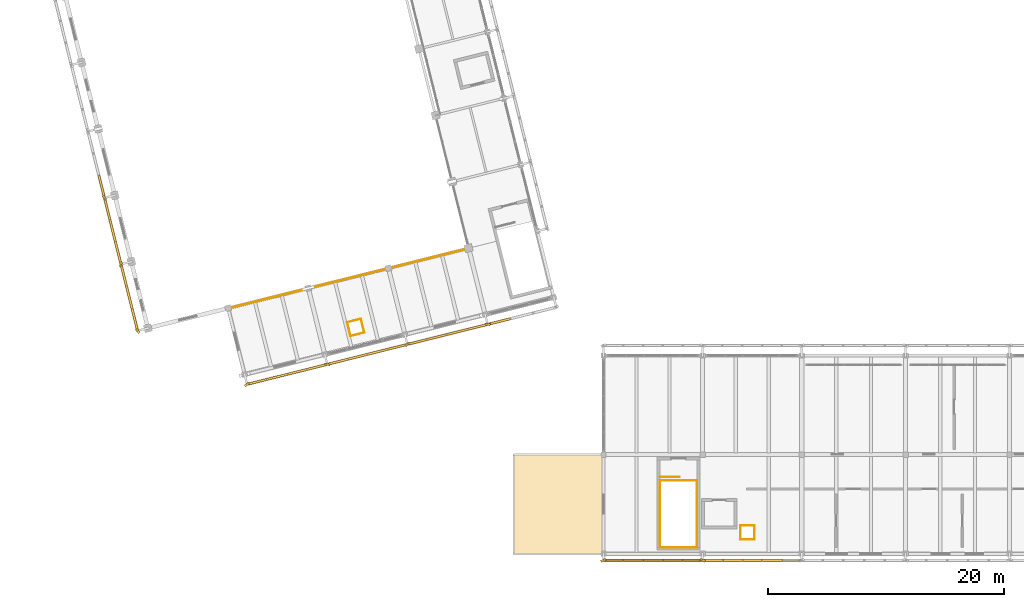
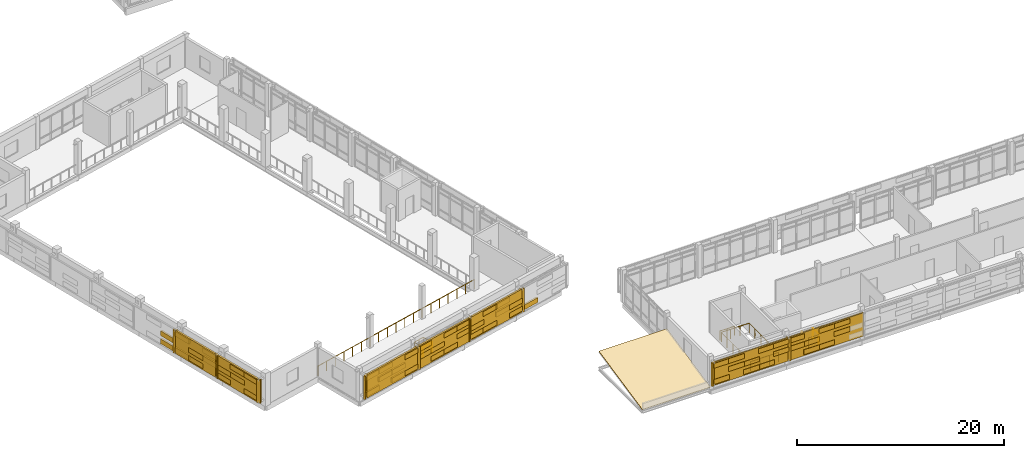
# One storey, part 106 of 117: 67 coverings, 14 railings, 7 shading devices.
"""IFC4 building model written with IfcOpenShell, lengths in metres."""

from ifc_helpers import new_model, si_unit, direction, frame, origin, origin_2d, place, context, subcontext, project, spatial, polyline, rectangle, circle, outline, extrude, material, layer, layer_set, type_object, element, save


model = new_model("IFC4")

# Units and contexts
model_context = context("Model", 3, precision=1e-05, world=origin(), true_north=direction((0.0, 1.0)))
body_context = subcontext(model_context, "Body", "Model", "MODEL_VIEW")
ifc_project = project(units=[si_unit("LENGTHUNIT", "METRE"), si_unit("AREAUNIT", "SQUARE_METRE"), si_unit("VOLUMEUNIT", "CUBIC_METRE"), si_unit("PLANEANGLEUNIT", "RADIAN"), si_unit("MASSUNIT", "GRAM", prefix="KILO")], contexts=[model_context])

# Site, building, storey
site_placement = place(None, origin())
site = spatial("IfcSite", under=ifc_project, at=site_placement, CompositionType="ELEMENT")
building_placement = place(site_placement, origin())
building = spatial("IfcBuilding", under=site, at=building_placement, Name="Cinderway Yard Community Centre", CompositionType="ELEMENT")
storey_placement = place(building_placement, frame((0.0, 0.0, 9.0)))
storey = spatial("IfcBuildingStorey", under=building, at=storey_placement, Name="L02", CompositionType="ELEMENT", Elevation=9.0)

# Coverings
ifc_material_1 = material(Name="Brick Masonry", Category="masonry")
ifc_layer_1 = layer(ifc_material_1, 0.18994140625, Name="Brick Masonry")
ifc_layer_set_1 = layer_set([ifc_layer_1], Name="Brick Masonry")
covering_type_1 = type_object("IfcCoveringType", Name="ENV-COV-BRK-SCREEN", PredefinedType="CLADDING", material=ifc_layer_set_1)
for number, where, z_axis, x_axis, name in (
    (1, (58.39990234375, 5.449951171875, 0.64990234375), (0.0, 0.0, 1.0), (-0.913545457643, -0.406736643076, 0.0), "Deconstructivist folded brick fin 0879"),
    (2, (66.800048828125, 5.449951171875, 0.64990234375), (0.0, 0.0, 1.0), (-0.913545457643, 0.406736643076, 0.0), "Deconstructivist folded brick fin 0880"),
):
    element("IfcCovering", number, at=place(storey_placement, frame(where, z_axis=z_axis, x_axis=x_axis)), inside=storey, type_object=covering_type_1, Name=name, PredefinedType="CLADDING", context=body_context, shape_type="SweptSolid", body=[
        extrude(rectangle(XDim=0.4599609375, YDim=0.199951171875, at=origin_2d()), origin(), (0.0, 0.0, 1.0), 2.75),
    ])
for number, where, z_axis, x_axis, name in (
    (3, (59.239990234375, 5.449951171875, 0.79052734375), (0.0, 0.0, 1.0), (-1.0, 0.0, 0.0), "Open-bond perforated brick screen course 00886"),
    (4, (62.60009765625, 5.449951171875, 0.79052734375), (0.0, 0.0, 1.0), (-1.0, 0.0, 0.0), "Open-bond perforated brick screen course 00887"),
    (5, (64.280029296875, 5.449951171875, 0.79052734375), (0.0, 0.0, 1.0), (-1.0, 0.0, 0.0), "Open-bond perforated brick screen course 00888"),
    (6, (60.919921875, 5.449951171875, 1.736328125), (0.0, 0.0, 1.0), (-1.0, 0.0, 0.0), "Open-bond perforated brick screen course 00889"),
    (7, (62.60009765625, 5.449951171875, 1.736328125), (0.0, 0.0, 1.0), (-1.0, 0.0, 0.0), "Open-bond perforated brick screen course 00890"),
    (8, (65.9599609375, 5.449951171875, 1.736328125), (0.0, 0.0, 1.0), (-1.0, 0.0, 0.0), "Open-bond perforated brick screen course 00891"),
    (9, (59.239990234375, 5.449951171875, 2.6826171875), (0.0, 0.0, 1.0), (-1.0, 0.0, 0.0), "Open-bond perforated brick screen course 00892"),
    (10, (60.919921875, 5.449951171875, 2.6826171875), (0.0, 0.0, 1.0), (-1.0, 0.0, 0.0), "Open-bond perforated brick screen course 00893"),
    (11, (64.280029296875, 5.449951171875, 2.6826171875), (0.0, 0.0, 1.0), (-1.0, 0.0, 0.0), "Open-bond perforated brick screen course 00894"),
    (12, (65.9599609375, 5.449951171875, 2.6826171875), (0.0, 0.0, 1.0), (-1.0, 0.0, 0.0), "Open-bond perforated brick screen course 00895"),
    (13, (69.320068359375, 5.449951171875, 0.79052734375), (0.0, 0.0, 1.0), (-1.0, 0.0, 0.0), "Open-bond perforated brick screen course 00896"),
    (14, (71.0, 5.449951171875, 0.79052734375), (0.0, 0.0, 1.0), (-1.0, 0.0, 0.0), "Open-bond perforated brick screen course 00897"),
    (15, (67.639892578125, 5.449951171875, 1.736328125), (0.0, 0.0, 1.0), (-1.0, 0.0, 0.0), "Open-bond perforated brick screen course 00899"),
    (16, (69.320068359375, 5.449951171875, 1.736328125), (0.0, 0.0, 1.0), (-1.0, 0.0, 0.0), "Open-bond perforated brick screen course 00900"),
    (17, (72.679931640625, 5.449951171875, 1.736328125), (0.0, 0.0, 1.0), (-1.0, 0.0, 0.0), "Open-bond perforated brick screen course 00901"),
    (18, (67.639892578125, 5.449951171875, 2.6826171875), (0.0, 0.0, 1.0), (-1.0, 0.0, 0.0), "Open-bond perforated brick screen course 00903"),
    (19, (71.0, 5.449951171875, 2.6826171875), (0.0, 0.0, 1.0), (-1.0, 0.0, 0.0), "Open-bond perforated brick screen course 00904"),
    (20, (72.679931640625, 5.449951171875, 2.6826171875), (0.0, 0.0, 1.0), (-1.0, 0.0, 0.0), "Open-bond perforated brick screen course 00905"),
):
    element("IfcCovering", number, at=place(storey_placement, frame(where, z_axis=z_axis, x_axis=x_axis)), inside=storey, type_object=covering_type_1, Name=name, PredefinedType="CLADDING", context=body_context, shape_type="SweptSolid", body=[
        extrude(rectangle(XDim=1.760009765625, YDim=0.18994140625, at=origin_2d()), origin(), (0.0, 0.0, 1.0), 0.576904296875),
    ])
for number, where, z_axis, x_axis, name in (
    (21, (18.93603515625, 24.89892578125, 0.64990234375), (0.0, 0.0, 1.0), (-0.615661475326, 0.788010753607, 0.0), "Deconstructivist folded brick fin 1148"),
    (22, (17.532958984375, 30.527099609375, 0.64990234375), (0.0, 0.0, 1.0), (0.173648177667, 0.984807753012, 0.0), "Deconstructivist folded brick fin 1149"),
    (23, (16.1298828125, 36.154052734375, 0.64990234375), (0.0, 0.0, 1.0), (-0.615661475326, 0.788010753607, 0.0), "Deconstructivist folded brick fin 1150"),
):
    element("IfcCovering", number, at=place(storey_placement, frame(where, z_axis=z_axis, x_axis=x_axis)), inside=storey, type_object=covering_type_1, Name=name, PredefinedType="CLADDING", context=body_context, shape_type="SweptSolid", body=[
        extrude(rectangle(XDim=0.4599609375, YDim=0.199951171875, at=origin_2d()), origin(), (0.0, 0.0, 1.0), 2.75),
    ])
for number, where, z_axis, x_axis, name in (
    (24, (18.701904296875, 25.8369140625, 0.79052734375), (0.0, 0.0, 1.0), (-0.2419218956, 0.970295726276, 0.0), "Open-bond perforated brick screen course 01156"),
    (25, (17.76708984375, 29.589111328125, 0.79052734375), (0.0, 0.0, 1.0), (-0.2419218956, 0.970295726276, 0.0), "Open-bond perforated brick screen course 01157"),
    (26, (18.235107421875, 27.712890625, 1.736328125), (0.0, 0.0, 1.0), (-0.2419218956, 0.970295726276, 0.0), "Open-bond perforated brick screen course 01158"),
    (27, (17.76708984375, 29.589111328125, 1.736328125), (0.0, 0.0, 1.0), (-0.2419218956, 0.970295726276, 0.0), "Open-bond perforated brick screen course 01159"),
    (28, (18.701904296875, 25.8369140625, 2.6826171875), (0.0, 0.0, 1.0), (-0.2419218956, 0.970295726276, 0.0), "Open-bond perforated brick screen course 01160"),
    (29, (18.235107421875, 27.712890625, 2.6826171875), (0.0, 0.0, 1.0), (-0.2419218956, 0.970295726276, 0.0), "Open-bond perforated brick screen course 01161"),
    (30, (16.8310546875, 33.341064453125, 0.79052734375), (0.0, 0.0, 1.0), (-0.2419218956, 0.970295726276, 0.0), "Open-bond perforated brick screen course 01162"),
    (31, (16.364013671875, 35.216064453125, 0.79052734375), (0.0, 0.0, 1.0), (-0.2419218956, 0.970295726276, 0.0), "Open-bond perforated brick screen course 01163"),
    (32, (17.299072265625, 31.465087890625, 1.736328125), (0.0, 0.0, 1.0), (-0.2419218956, 0.970295726276, 0.0), "Open-bond perforated brick screen course 01164"),
    (33, (16.8310546875, 33.341064453125, 1.736328125), (0.0, 0.0, 1.0), (-0.2419218956, 0.970295726276, 0.0), "Open-bond perforated brick screen course 01165"),
    (34, (17.299072265625, 31.465087890625, 2.6826171875), (0.0, 0.0, 1.0), (-0.2419218956, 0.970295726276, 0.0), "Open-bond perforated brick screen course 01166"),
    (35, (16.364013671875, 35.216064453125, 2.6826171875), (0.0, 0.0, 1.0), (-0.2419218956, 0.970295726276, 0.0), "Open-bond perforated brick screen course 01167"),
    (36, (15.89599609375, 37.092041015625, 0.79052734375), (0.0, 0.0, 1.0), (-0.2419218956, 0.970295726276, 0.0), "Open-bond perforated brick screen course 01168"),
    (37, (15.89599609375, 37.092041015625, 1.736328125), (0.0, 0.0, 1.0), (-0.2419218956, 0.970295726276, 0.0), "Open-bond perforated brick screen course 01170"),
):
    element("IfcCovering", number, at=place(storey_placement, frame(where, z_axis=z_axis, x_axis=x_axis)), inside=storey, type_object=covering_type_1, Name=name, PredefinedType="CLADDING", context=body_context, shape_type="SweptSolid", body=[
        extrude(rectangle(XDim=2.012939453125, YDim=0.18994140625, at=origin_2d()), origin(), (0.0, 0.0, 1.0), 0.576904296875),
    ])
for number, where, z_axis, x_axis, name in (
    (38, (28.2109375, 20.35791015625, 0.64990234375), (0.0, 0.0, 1.0), (-0.788010753607, -0.615661475326, 0.0), "Deconstructivist folded brick fin 1248"),
    (39, (35.0029296875, 22.051025390625, 0.64990234375), (0.0, 0.0, 1.0), (-0.984807753012, 0.173648177667, 0.0), "Deconstructivist folded brick fin 1249"),
    (40, (41.794921875, 23.743896484375, 0.64990234375), (0.0, 0.0, 1.0), (-0.788010753607, -0.615661475326, 0.0), "Deconstructivist folded brick fin 1250"),
    (41, (48.5869140625, 25.43798828125, 0.64990234375), (0.0, 0.0, 1.0), (-0.984807753012, 0.173648177667, 0.0), "Deconstructivist folded brick fin 1251"),
):
    element("IfcCovering", number, at=place(storey_placement, frame(where, z_axis=z_axis, x_axis=x_axis)), inside=storey, type_object=covering_type_1, Name=name, PredefinedType="CLADDING", context=body_context, shape_type="SweptSolid", body=[
        extrude(rectangle(XDim=0.4599609375, YDim=0.199951171875, at=origin_2d()), origin(), (0.0, 0.0, 1.0), 2.75),
    ])
for number, where, z_axis, x_axis, name in (
    (42, (29.06005859375, 20.570068359375, 0.79052734375), (0.0, 0.0, 1.0), (-0.970295726276, -0.2419218956, 0.0), "Open-bond perforated brick screen course 01253"),
    (43, (32.4560546875, 21.416015625, 0.79052734375), (0.0, 0.0, 1.0), (-0.970295726276, -0.2419218956, 0.0), "Open-bond perforated brick screen course 01254"),
    (44, (34.154052734375, 21.839111328125, 0.79052734375), (0.0, 0.0, 1.0), (-0.970295726276, -0.2419218956, 0.0), "Open-bond perforated brick screen course 01255"),
    (45, (30.758056640625, 20.992919921875, 1.736328125), (0.0, 0.0, 1.0), (-0.970295726276, -0.2419218956, 0.0), "Open-bond perforated brick screen course 01256"),
    (46, (32.4560546875, 21.416015625, 1.736328125), (0.0, 0.0, 1.0), (-0.970295726276, -0.2419218956, 0.0), "Open-bond perforated brick screen course 01257"),
    (47, (29.06005859375, 20.570068359375, 2.6826171875), (0.0, 0.0, 1.0), (-0.970295726276, -0.2419218956, 0.0), "Open-bond perforated brick screen course 01258"),
    (48, (30.758056640625, 20.992919921875, 2.6826171875), (0.0, 0.0, 1.0), (-0.970295726276, -0.2419218956, 0.0), "Open-bond perforated brick screen course 01259"),
    (49, (34.154052734375, 21.839111328125, 2.6826171875), (0.0, 0.0, 1.0), (-0.970295726276, -0.2419218956, 0.0), "Open-bond perforated brick screen course 01260"),
    (50, (37.550048828125, 22.68603515625, 0.79052734375), (0.0, 0.0, 1.0), (-0.970295726276, -0.2419218956, 0.0), "Open-bond perforated brick screen course 01261"),
    (51, (39.248046875, 23.10888671875, 0.79052734375), (0.0, 0.0, 1.0), (-0.970295726276, -0.2419218956, 0.0), "Open-bond perforated brick screen course 01262"),
    (52, (35.85205078125, 22.262939453125, 1.736328125), (0.0, 0.0, 1.0), (-0.970295726276, -0.2419218956, 0.0), "Open-bond perforated brick screen course 01263"),
    (53, (37.550048828125, 22.68603515625, 1.736328125), (0.0, 0.0, 1.0), (-0.970295726276, -0.2419218956, 0.0), "Open-bond perforated brick screen course 01264"),
    (54, (40.946044921875, 23.531982421875, 1.736328125), (0.0, 0.0, 1.0), (-0.970295726276, -0.2419218956, 0.0), "Open-bond perforated brick screen course 01265"),
    (55, (35.85205078125, 22.262939453125, 2.6826171875), (0.0, 0.0, 1.0), (-0.970295726276, -0.2419218956, 0.0), "Open-bond perforated brick screen course 01266"),
    (56, (39.248046875, 23.10888671875, 2.6826171875), (0.0, 0.0, 1.0), (-0.970295726276, -0.2419218956, 0.0), "Open-bond perforated brick screen course 01267"),
    (57, (40.946044921875, 23.531982421875, 2.6826171875), (0.0, 0.0, 1.0), (-0.970295726276, -0.2419218956, 0.0), "Open-bond perforated brick screen course 01268"),
    (58, (42.64404296875, 23.9560546875, 0.79052734375), (0.0, 0.0, 1.0), (-0.970295726276, -0.2419218956, 0.0), "Open-bond perforated brick screen course 01269"),
    (59, (44.342041015625, 24.37890625, 0.79052734375), (0.0, 0.0, 1.0), (-0.970295726276, -0.2419218956, 0.0), "Open-bond perforated brick screen course 01270"),
    (60, (47.738037109375, 25.22607421875, 0.79052734375), (0.0, 0.0, 1.0), (-0.970295726276, -0.2419218956, 0.0), "Open-bond perforated brick screen course 01271"),
    (61, (42.64404296875, 23.9560546875, 1.736328125), (0.0, 0.0, 1.0), (-0.970295726276, -0.2419218956, 0.0), "Open-bond perforated brick screen course 01272"),
    (62, (46.0400390625, 24.802978515625, 1.736328125), (0.0, 0.0, 1.0), (-0.970295726276, -0.2419218956, 0.0), "Open-bond perforated brick screen course 01273"),
    (63, (47.738037109375, 25.22607421875, 1.736328125), (0.0, 0.0, 1.0), (-0.970295726276, -0.2419218956, 0.0), "Open-bond perforated brick screen course 01274"),
    (64, (44.342041015625, 24.37890625, 2.6826171875), (0.0, 0.0, 1.0), (-0.970295726276, -0.2419218956, 0.0), "Open-bond perforated brick screen course 01275"),
    (65, (46.0400390625, 24.802978515625, 2.6826171875), (0.0, 0.0, 1.0), (-0.970295726276, -0.2419218956, 0.0), "Open-bond perforated brick screen course 01276"),
):
    element("IfcCovering", number, at=place(storey_placement, frame(where, z_axis=z_axis, x_axis=x_axis)), inside=storey, type_object=covering_type_1, Name=name, PredefinedType="CLADDING", context=body_context, shape_type="SweptSolid", body=[
        extrude(rectangle(XDim=1.830078125, YDim=0.18994140625, at=origin_2d()), origin(), (0.0, 0.0, 1.0), 0.576904296875),
    ])
covering_1_placement = place(storey_placement, frame((49.556884765625, 25.679931640625, 0.79052734375), z_axis=(0.0, 0.0, 1.0), x_axis=(-0.970295726276, -0.2419218956, 0.0)))
element("IfcCovering", 66, at=covering_1_placement, inside=storey, type_object=covering_type_1, Name="Open-bond perforated brick screen course 01277", PredefinedType="CLADDING", context=body_context, shape_type="SweptSolid", body=[
    extrude(rectangle(XDim=2.080078125, YDim=0.18994140625, at=origin_2d()), origin(), (0.0, 0.0, 1.0), 0.576904296875),
])

# Shading devices
shading_device_type_1 = type_object("IfcShadingDeviceType", Name="ENV-SHD-BRICKSCREEN-A", PredefinedType="USERDEFINED", material=ifc_material_1)
for number, where, z_axis, x_axis, name in (
    (67, (31.60693359375, 21.2041015625, 0.64990234375), (0.0, 0.0, 1.0), (-0.970295726276, -0.2419218956, 0.0), "Sanctuary South Perforated Brick Screen 0947"),
    (68, (38.39892578125, 22.89794921875, 0.64990234375), (0.0, 0.0, 1.0), (-0.970295726276, -0.2419218956, 0.0), "Sanctuary South Perforated Brick Screen 0954"),
    (69, (45.19091796875, 24.591064453125, 0.64990234375), (0.0, 0.0, 1.0), (-0.970295726276, -0.2419218956, 0.0), "Sanctuary South Perforated Brick Screen 0961"),
):
    element("IfcShadingDevice", number, at=place(storey_placement, frame(where, z_axis=z_axis, x_axis=x_axis)), inside=storey, type_object=shading_device_type_1, Name=name, ObjectType="PERFORATED BRICK SCREEN", PredefinedType="USERDEFINED", context=body_context, shape_type="SweptSolid", body=[
        extrude(rectangle(XDim=6.800048828125, YDim=0.18994140625, at=origin_2d()), origin(), (0.0, 0.0, 1.0), 2.75),
    ])
shading_device_type_2 = type_object("IfcShadingDeviceType", Name="ENV-SHD-BRICKSCREEN-B", PredefinedType="USERDEFINED", material=ifc_material_1)
shading_device_1_placement = place(storey_placement, frame((18.235107421875, 27.712890625, 0.64990234375), z_axis=(0.0, 0.0, 1.0), x_axis=(-0.2419218956, 0.970295726276, 0.0)))
element("IfcShadingDevice", 70, at=shading_device_1_placement, inside=storey, type_object=shading_device_type_2, Name="Main Hall West Perforated Brick Screen 0860", ObjectType="PERFORATED BRICK SCREEN", PredefinedType="USERDEFINED", context=body_context, shape_type="SweptSolid", body=[
    extrude(rectangle(XDim=5.60009765625, YDim=0.18994140625, at=origin_2d()), origin(), (0.0, 0.0, 1.0), 2.75),
])
shading_device_2_placement = place(storey_placement, frame((16.8310546875, 33.341064453125, 0.64990234375), z_axis=(0.0, 0.0, 1.0), x_axis=(-0.2419218956, 0.970295726276, 0.0)))
element("IfcShadingDevice", 71, at=shading_device_2_placement, inside=storey, type_object=shading_device_type_2, Name="Main Hall West Perforated Brick Screen 0866", ObjectType="PERFORATED BRICK SCREEN", PredefinedType="USERDEFINED", context=body_context, shape_type="SweptSolid", body=[
    extrude(rectangle(XDim=5.59912109375, YDim=0.18994140625, at=origin_2d()), origin(), (0.0, 0.0, 1.0), 2.75),
])
ifc_material_2 = material(Name="Aluminium 6063-T6", Category="aluminium")
shading_device_type_3 = type_object("IfcShadingDeviceType", Name="ENV-SHD-JALOUSIE", PredefinedType="JALOUSIE", material=ifc_material_2)
for number, where, z_axis, x_axis, name in (
    (72, (62.60009765625, 5.449951171875, 0.64990234375), (0.0, 0.0, 1.0), (-1.0, 0.0, 0.0), "South Rail-Yard Solar Screen 0650"),
    (73, (71.0, 5.449951171875, 0.64990234375), (0.0, 0.0, 1.0), (-1.0, 0.0, 0.0), "South Rail-Yard Solar Screen 0658"),
):
    element("IfcShadingDevice", number, at=place(storey_placement, frame(where, z_axis=z_axis, x_axis=x_axis)), inside=storey, type_object=shading_device_type_3, Name=name, PredefinedType="JALOUSIE", context=body_context, shape_type="SweptSolid", body=[
        extrude(rectangle(XDim=8.199951171875, YDim=0.139892578125, at=origin_2d()), origin(), (0.0, 0.0, 1.0), 2.75),
    ])

# Covering
ifc_material_3 = material(Name="Standing-Seam Aluminium & Waterproofing", Category="aluminium")
ifc_layer_2 = layer(ifc_material_3, 0.06005859375, Name="Standing-Seam Aluminium & Waterproofing")
ifc_layer_set_2 = layer_set([ifc_layer_2], Name="Standing-Seam Aluminium & Waterproofing")
covering_type_2 = type_object("IfcCoveringType", Name="INT-COV-ROOF-MEM", PredefinedType="ROOFING", material=ifc_layer_set_2)
covering_2_placement = place(storey_placement, frame((50.800048828125, 6.0, 0.110107421875), z_axis=(0.0, -0.209509680146, 0.977806572858), x_axis=(1.0, 0.0, 0.0)))
element("IfcCovering", 74, at=covering_2_placement, inside=storey, type_object=covering_type_2, Name="Standing-seam roof membrane 17", PredefinedType="ROOFING", context=body_context, shape_type="SweptSolid", body=[
    extrude(outline(polyline([(0.0, 0.0), (7.599853515625, 0.0), (7.599853515625, 8.59055622749096), (0.0, 8.59055622749096), (0.0, 0.0)])), origin(), (0.0, 0.0, -1.0), 0.06005859375),
])

# Railings
ifc_material_4 = material(Name="Painted Galvanised Steel", Category="steel")
railing_type_1 = type_object("IfcRailingType", Name="INT-RAL-BAL112", PredefinedType="BALUSTRADE", material=ifc_material_4)
railing_1_placement = place(storey_placement, frame((26.60595703125, 26.791015625, 0.0)))
element("IfcRailing", 75, at=railing_1_placement, inside=storey, type_object=railing_type_1, Name="Sanctuary Balcony Guard L02 019", PredefinedType="BALUSTRADE", context=body_context, shape_type="SweptSolid", body=[
    extrude(circle(Radius=0.02392578125, at=origin_2d()), frame((0.0, 0.0, 1.09619140625), z_axis=(0.970300944866, 0.241900964018, 0.0), x_axis=(-0.241900964018, 0.970300944866, 0.0)), (0.0, 0.0, 1.0), 21.000732421875),
    extrude(circle(Radius=0.02099609375, at=origin_2d()), origin(), (0.0, 0.0, 1.0), 1.072021484375),
    extrude(circle(Radius=0.02099609375, at=origin_2d()), frame((1.132080078125, 0.2822265625, 0.0)), (0.0, 0.0, 1.0), 1.072021484375),
    extrude(circle(Radius=0.02099609375, at=origin_2d()), frame((2.26416015625, 0.564453125, 0.0)), (0.0, 0.0, 1.0), 1.072021484375),
    extrude(circle(Radius=0.02099609375, at=origin_2d()), frame((3.396240234375, 0.8466796875, 0.0)), (0.0, 0.0, 1.0), 1.072021484375),
    extrude(circle(Radius=0.02099609375, at=origin_2d()), frame((4.5283203125, 1.12890625, 0.0)), (0.0, 0.0, 1.0), 1.072021484375),
    extrude(circle(Radius=0.02099609375, at=origin_2d()), frame((5.66015625, 1.4111328125, 0.0)), (0.0, 0.0, 1.0), 1.072021484375),
    extrude(circle(Radius=0.02099609375, at=origin_2d()), frame((6.792236328125, 1.693359375, 0.0)), (0.0, 0.0, 1.0), 1.072021484375),
    extrude(circle(Radius=0.02099609375, at=origin_2d()), frame((7.92431640625, 1.9755859375, 0.0)), (0.0, 0.0, 1.0), 1.072021484375),
    extrude(circle(Radius=0.02099609375, at=origin_2d()), frame((9.056396484375, 2.2578125, 0.0)), (0.0, 0.0, 1.0), 1.072021484375),
    extrude(circle(Radius=0.02099609375, at=origin_2d()), frame((10.1884765625, 2.5400390625, 0.0)), (0.0, 0.0, 1.0), 1.072021484375),
    extrude(circle(Radius=0.02099609375, at=origin_2d()), frame((11.320556640625, 2.822265625, 0.0)), (0.0, 0.0, 1.0), 1.072021484375),
    extrude(circle(Radius=0.02099609375, at=origin_2d()), frame((12.45263671875, 3.1044921875, 0.0)), (0.0, 0.0, 1.0), 1.072021484375),
    extrude(circle(Radius=0.02099609375, at=origin_2d()), frame((13.584716796875, 3.38671875, 0.0)), (0.0, 0.0, 1.0), 1.072021484375),
    extrude(circle(Radius=0.02099609375, at=origin_2d()), frame((14.716796875, 3.6689453125, 0.0)), (0.0, 0.0, 1.0), 1.072021484375),
    extrude(circle(Radius=0.02099609375, at=origin_2d()), frame((15.8486328125, 3.951171875, 0.0)), (0.0, 0.0, 1.0), 1.072021484375),
    extrude(circle(Radius=0.02099609375, at=origin_2d()), frame((16.980712890625, 4.2333984375, 0.0)), (0.0, 0.0, 1.0), 1.072021484375),
    extrude(circle(Radius=0.02099609375, at=origin_2d()), frame((18.11279296875, 4.515625, 0.0)), (0.0, 0.0, 1.0), 1.072021484375),
    extrude(circle(Radius=0.02099609375, at=origin_2d()), frame((19.244873046875, 4.7978515625, 0.0)), (0.0, 0.0, 1.0), 1.072021484375),
    extrude(circle(Radius=0.02099609375, at=origin_2d()), frame((20.376953125, 5.080078125, 0.0)), (0.0, 0.0, 1.0), 1.072021484375),
])
railing_type_2 = type_object("IfcRailingType", Name="INT-RAL-GRD112", PredefinedType="GUARDRAIL", material=ifc_material_4)
railing_2_placement = place(storey_placement, frame((63.199951171875, 12.52001953125, 0.0)))
element("IfcRailing", 76, at=railing_2_placement, inside=storey, type_object=railing_type_2, Name="L02 ST-09 top well guard 1", PredefinedType="GUARDRAIL", context=body_context, shape_type="SweptSolid", body=[
    extrude(circle(Radius=0.02392578125, at=origin_2d()), frame((0.0, 0.0, 1.076171875), z_axis=(1.0, 0.0, 0.0), x_axis=(0.0, 1.0, 0.0)), (0.0, 0.0, 1.0), 1.64013671875),
    extrude(circle(Radius=0.02099609375, at=origin_2d()), origin(), (0.0, 0.0, 1.0), 1.052001953125),
    extrude(circle(Radius=0.02099609375, at=origin_2d()), frame((0.820068359375, 0.0, 0.0)), (0.0, 0.0, 1.0), 1.052001953125),
    extrude(circle(Radius=0.02099609375, at=origin_2d()), frame((1.64013671875, 0.0, 0.0)), (0.0, 0.0, 1.0), 1.052001953125),
])
railing_3_placement = place(storey_placement, frame((36.98095703125, 24.450927734375, 0.0)))
element("IfcRailing", 77, at=railing_3_placement, inside=storey, type_object=railing_type_2, Name="Service void perimeter guard L02 115", PredefinedType="GUARDRAIL", context=body_context, shape_type="SweptSolid", body=[
    extrude(circle(Radius=0.02392578125, at=origin_2d()), frame((0.0, 0.0, 1.09619140625), z_axis=(0.970333736057, 0.241769395645, 0.0), x_axis=(-0.241769395645, 0.970333736057, 0.0)), (0.0, 0.0, 1.0), 1.19970703125),
    extrude(circle(Radius=0.02099609375, at=origin_2d()), origin(), (0.0, 0.0, 1.0), 1.072021484375),
    extrude(circle(Radius=0.02099609375, at=origin_2d()), frame((1.1640625, 0.2900390625, 0.0)), (0.0, 0.0, 1.0), 1.072021484375),
])
railing_4_placement = place(storey_placement, frame((38.14501953125, 24.740966796875, 0.0)))
element("IfcRailing", 78, at=railing_4_placement, inside=storey, type_object=railing_type_2, Name="Service void perimeter guard L02 116", PredefinedType="GUARDRAIL", context=body_context, shape_type="SweptSolid", body=[
    extrude(circle(Radius=0.02392578125, at=origin_2d()), frame((0.0, 0.0, 1.09619140625), z_axis=(-0.24157857074, 0.970381262267, 0.0), x_axis=(-0.970381262267, -0.24157857074, 0.0)), (0.0, 0.0, 1.0), 1.20068359375),
    extrude(circle(Radius=0.02099609375, at=origin_2d()), origin(), (0.0, 0.0, 1.0), 1.072021484375),
    extrude(circle(Radius=0.02099609375, at=origin_2d()), frame((-0.14501953125, 0.58251953125, 0.0)), (0.0, 0.0, 1.0), 1.072021484375),
    extrude(circle(Radius=0.02099609375, at=origin_2d()), frame((-0.2900390625, 1.1650390625, 0.0)), (0.0, 0.0, 1.0), 1.072021484375),
])
railing_5_placement = place(storey_placement, frame((37.85498046875, 25.906005859375, 0.0)))
element("IfcRailing", 79, at=railing_5_placement, inside=storey, type_object=railing_type_2, Name="Service void perimeter guard L02 117", PredefinedType="GUARDRAIL", context=body_context, shape_type="SweptSolid", body=[
    extrude(circle(Radius=0.02392578125, at=origin_2d()), frame((0.0, 0.0, 1.09619140625), z_axis=(-0.970381262267, -0.24157857074, 0.0), x_axis=(0.24157857074, -0.970381262267, 0.0)), (0.0, 0.0, 1.0), 1.20068359375),
    extrude(circle(Radius=0.02099609375, at=origin_2d()), origin(), (0.0, 0.0, 1.0), 1.072021484375),
    extrude(circle(Radius=0.02099609375, at=origin_2d()), frame((-0.58251953125, -0.14501953125, 0.0)), (0.0, 0.0, 1.0), 1.072021484375),
    extrude(circle(Radius=0.02099609375, at=origin_2d()), frame((-1.1650390625, -0.2900390625, 0.0)), (0.0, 0.0, 1.0), 1.072021484375),
])
railing_6_placement = place(storey_placement, frame((36.68994140625, 25.615966796875, 0.0)))
element("IfcRailing", 80, at=railing_6_placement, inside=storey, type_object=railing_type_2, Name="Service void perimeter guard L02 118", PredefinedType="GUARDRAIL", context=body_context, shape_type="SweptSolid", body=[
    extrude(circle(Radius=0.02392578125, at=origin_2d()), frame((0.0, 0.0, 1.09619140625), z_axis=(0.242344270717, -0.970190318675, 0.0), x_axis=(0.970190318675, 0.242344270717, 0.0)), (0.0, 0.0, 1.0), 1.200927734375),
    extrude(circle(Radius=0.02099609375, at=origin_2d()), origin(), (0.0, 0.0, 1.0), 1.072021484375),
    extrude(circle(Radius=0.02099609375, at=origin_2d()), frame((0.1455078125, -0.58251953125, 0.0)), (0.0, 0.0, 1.0), 1.072021484375),
    extrude(circle(Radius=0.02099609375, at=origin_2d()), frame((0.291015625, -1.1650390625, 0.0)), (0.0, 0.0, 1.0), 1.072021484375),
])
railing_7_placement = place(storey_placement, frame((63.199951171875, 12.22998046875, 0.0)))
element("IfcRailing", 81, at=railing_7_placement, inside=storey, type_object=railing_type_2, Name="Service void perimeter guard L02 131", PredefinedType="GUARDRAIL", context=body_context, shape_type="SweptSolid", body=[
    extrude(circle(Radius=0.02392578125, at=origin_2d()), frame((0.0, 0.0, 1.09619140625), z_axis=(0.0, -1.0, 0.0), x_axis=(1.0, 0.0, 0.0)), (0.0, 0.0, 1.0), 5.679931640625),
    extrude(circle(Radius=0.02099609375, at=origin_2d()), origin(), (0.0, 0.0, 1.0), 1.072021484375),
    extrude(circle(Radius=0.02099609375, at=origin_2d()), frame((0.0, -1.135986328125, 0.0)), (0.0, 0.0, 1.0), 1.072021484375),
    extrude(circle(Radius=0.02099609375, at=origin_2d()), frame((0.0, -2.27197265625, 0.0)), (0.0, 0.0, 1.0), 1.072021484375),
    extrude(circle(Radius=0.02099609375, at=origin_2d()), frame((0.0, -3.407958984375, 0.0)), (0.0, 0.0, 1.0), 1.072021484375),
    extrude(circle(Radius=0.02099609375, at=origin_2d()), frame((0.0, -4.5439453125, 0.0)), (0.0, 0.0, 1.0), 1.072021484375),
    extrude(circle(Radius=0.02099609375, at=origin_2d()), frame((0.0, -5.679931640625, 0.0)), (0.0, 0.0, 1.0), 1.072021484375),
])
railing_8_placement = place(storey_placement, frame((63.199951171875, 6.550048828125, 0.0)))
element("IfcRailing", 82, at=railing_8_placement, inside=storey, type_object=railing_type_2, Name="Service void perimeter guard L02 132", PredefinedType="GUARDRAIL", context=body_context, shape_type="SweptSolid", body=[
    extrude(circle(Radius=0.02392578125, at=origin_2d()), frame((0.0, 0.0, 1.09619140625), z_axis=(1.0, 0.0, 0.0), x_axis=(0.0, 1.0, 0.0)), (0.0, 0.0, 1.0), 3.1201171875),
    extrude(circle(Radius=0.02099609375, at=origin_2d()), origin(), (0.0, 0.0, 1.0), 1.072021484375),
    extrude(circle(Radius=0.02099609375, at=origin_2d()), frame((1.0400390625, 0.0, 0.0)), (0.0, 0.0, 1.0), 1.072021484375),
    extrude(circle(Radius=0.02099609375, at=origin_2d()), frame((2.080078125, 0.0, 0.0)), (0.0, 0.0, 1.0), 1.072021484375),
    extrude(circle(Radius=0.02099609375, at=origin_2d()), frame((3.1201171875, 0.0, 0.0)), (0.0, 0.0, 1.0), 1.072021484375),
])
railing_9_placement = place(storey_placement, frame((66.320068359375, 6.550048828125, 0.0)))
element("IfcRailing", 83, at=railing_9_placement, inside=storey, type_object=railing_type_2, Name="Service void perimeter guard L02 133", PredefinedType="GUARDRAIL", context=body_context, shape_type="SweptSolid", body=[
    extrude(circle(Radius=0.02392578125, at=origin_2d()), frame((0.0, 0.0, 1.09619140625), z_axis=(0.0, 1.0, 0.0), x_axis=(-1.0, 0.0, 0.0)), (0.0, 0.0, 1.0), 5.679931640625),
    extrude(circle(Radius=0.02099609375, at=origin_2d()), origin(), (0.0, 0.0, 1.0), 1.072021484375),
    extrude(circle(Radius=0.02099609375, at=origin_2d()), frame((0.0, 1.135986328125, 0.0)), (0.0, 0.0, 1.0), 1.072021484375),
    extrude(circle(Radius=0.02099609375, at=origin_2d()), frame((0.0, 2.27197265625, 0.0)), (0.0, 0.0, 1.0), 1.072021484375),
    extrude(circle(Radius=0.02099609375, at=origin_2d()), frame((0.0, 3.407958984375, 0.0)), (0.0, 0.0, 1.0), 1.072021484375),
    extrude(circle(Radius=0.02099609375, at=origin_2d()), frame((0.0, 4.5439453125, 0.0)), (0.0, 0.0, 1.0), 1.072021484375),
    extrude(circle(Radius=0.02099609375, at=origin_2d()), frame((0.0, 5.679931640625, 0.0)), (0.0, 0.0, 1.0), 1.072021484375),
])
railing_10_placement = place(storey_placement, frame((66.320068359375, 12.22998046875, 0.0)))
element("IfcRailing", 84, at=railing_10_placement, inside=storey, type_object=railing_type_2, Name="Service void perimeter guard L02 134", PredefinedType="GUARDRAIL", context=body_context, shape_type="SweptSolid", body=[
    extrude(circle(Radius=0.02392578125, at=origin_2d()), frame((0.0, 0.0, 1.09619140625), z_axis=(-1.0, 0.0, 0.0), x_axis=(0.0, -1.0, 0.0)), (0.0, 0.0, 1.0), 3.1201171875),
    extrude(circle(Radius=0.02099609375, at=origin_2d()), origin(), (0.0, 0.0, 1.0), 1.072021484375),
    extrude(circle(Radius=0.02099609375, at=origin_2d()), frame((-1.0400390625, 0.0, 0.0)), (0.0, 0.0, 1.0), 1.072021484375),
    extrude(circle(Radius=0.02099609375, at=origin_2d()), frame((-2.080078125, 0.0, 0.0)), (0.0, 0.0, 1.0), 1.072021484375),
    extrude(circle(Radius=0.02099609375, at=origin_2d()), frame((-3.1201171875, 0.0, 0.0)), (0.0, 0.0, 1.0), 1.072021484375),
])
railing_11_placement = place(storey_placement, frame((70.0, 7.199951171875, 0.0)))
element("IfcRailing", 85, at=railing_11_placement, inside=storey, type_object=railing_type_2, Name="Service void perimeter guard L02 135", PredefinedType="GUARDRAIL", context=body_context, shape_type="SweptSolid", body=[
    extrude(circle(Radius=0.02392578125, at=origin_2d()), frame((0.0, 0.0, 1.09619140625), z_axis=(1.0, 0.0, 0.0), x_axis=(0.0, 1.0, 0.0)), (0.0, 0.0, 1.0), 1.199951171875),
    extrude(circle(Radius=0.02099609375, at=origin_2d()), origin(), (0.0, 0.0, 1.0), 1.072021484375),
    extrude(circle(Radius=0.02099609375, at=origin_2d()), frame((1.199951171875, 0.0, 0.0)), (0.0, 0.0, 1.0), 1.072021484375),
])
railing_12_placement = place(storey_placement, frame((71.199951171875, 7.199951171875, 0.0)))
element("IfcRailing", 86, at=railing_12_placement, inside=storey, type_object=railing_type_2, Name="Service void perimeter guard L02 136", PredefinedType="GUARDRAIL", context=body_context, shape_type="SweptSolid", body=[
    extrude(circle(Radius=0.02392578125, at=origin_2d()), frame((0.0, 0.0, 1.09619140625), z_axis=(0.0, 1.0, 0.0), x_axis=(-1.0, 0.0, 0.0)), (0.0, 0.0, 1.0), 1.199951171875),
    extrude(circle(Radius=0.02099609375, at=origin_2d()), origin(), (0.0, 0.0, 1.0), 1.072021484375),
    extrude(circle(Radius=0.02099609375, at=origin_2d()), frame((0.0, 1.199951171875, 0.0)), (0.0, 0.0, 1.0), 1.072021484375),
])
railing_13_placement = place(storey_placement, frame((71.199951171875, 8.39990234375, 0.0)))
element("IfcRailing", 87, at=railing_13_placement, inside=storey, type_object=railing_type_2, Name="Service void perimeter guard L02 137", PredefinedType="GUARDRAIL", context=body_context, shape_type="SweptSolid", body=[
    extrude(circle(Radius=0.02392578125, at=origin_2d()), frame((0.0, 0.0, 1.09619140625), z_axis=(-1.0, 0.0, 0.0), x_axis=(0.0, -1.0, 0.0)), (0.0, 0.0, 1.0), 1.199951171875),
    extrude(circle(Radius=0.02099609375, at=origin_2d()), origin(), (0.0, 0.0, 1.0), 1.072021484375),
    extrude(circle(Radius=0.02099609375, at=origin_2d()), frame((-1.199951171875, 0.0, 0.0)), (0.0, 0.0, 1.0), 1.072021484375),
])
railing_14_placement = place(storey_placement, frame((70.0, 8.39990234375, 0.0)))
element("IfcRailing", 88, at=railing_14_placement, inside=storey, type_object=railing_type_2, Name="Service void perimeter guard L02 138", PredefinedType="GUARDRAIL", context=body_context, shape_type="SweptSolid", body=[
    extrude(circle(Radius=0.02392578125, at=origin_2d()), frame((0.0, 0.0, 1.09619140625), z_axis=(0.0, -1.0, 0.0), x_axis=(1.0, 0.0, 0.0)), (0.0, 0.0, 1.0), 1.199951171875),
    extrude(circle(Radius=0.02099609375, at=origin_2d()), origin(), (0.0, 0.0, 1.0), 1.072021484375),
    extrude(circle(Radius=0.02099609375, at=origin_2d()), frame((0.0, -1.199951171875, 0.0)), (0.0, 0.0, 1.0), 1.072021484375),
])

save(model, "model.ifc")
